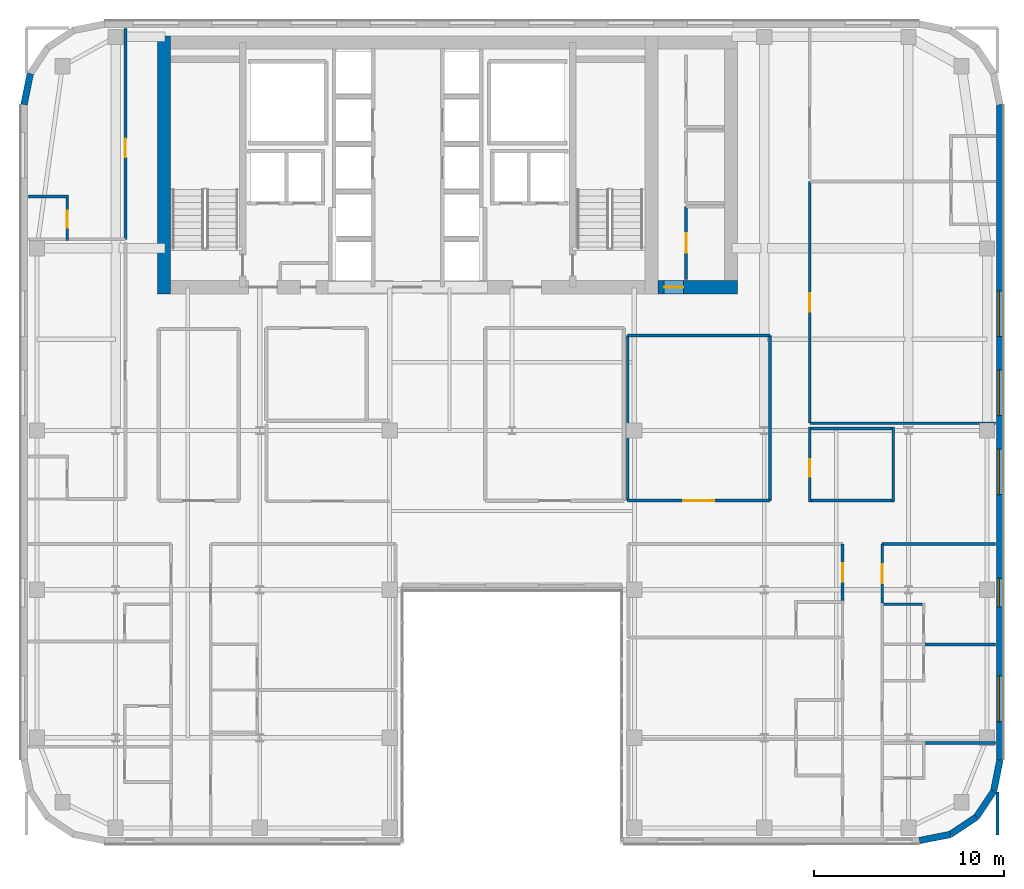
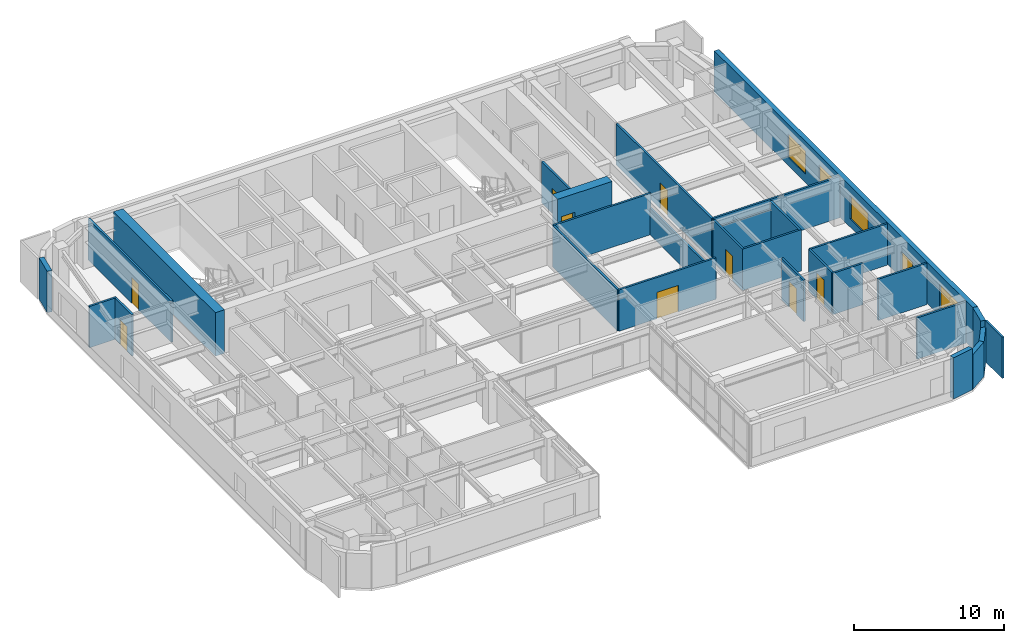
# One storey, part 12 of 20: 29 walls, 9 doors, 5 windows, 14 openings.
"""IFC4 building model written with IfcOpenShell, lengths in metres."""

from ifc_helpers import new_model, si_unit, direction, frame, frame_2d, origin, place, context, subcontext, project, spatial, rectangle, extrude, source, transform, mapped, material, layer, layer_set, type_object, type_shapes, element, fill, save


model = new_model("IFC4")

# Units and contexts
model_context = context("Model", 3, precision=1e-05, world=origin(), true_north=direction((0.0, 1.0)))
body_context = subcontext(model_context, "Body", "Model", "MODEL_VIEW")
ifc_project = project(units=[si_unit("LENGTHUNIT", "METRE"), si_unit("AREAUNIT", "SQUARE_METRE"), si_unit("VOLUMEUNIT", "CUBIC_METRE"), si_unit("PLANEANGLEUNIT", "RADIAN"), si_unit("MASSUNIT", "GRAM", prefix="KILO")], contexts=[model_context])

# Site, building, storey
site_placement = place(None, origin())
site = spatial("IfcSite", under=ifc_project, at=site_placement, CompositionType="ELEMENT")
building_placement = place(site_placement, origin())
building = spatial("IfcBuilding", under=site, at=building_placement, Name="Tolvann Quenvar Hotel", CompositionType="ELEMENT")
storey_placement = place(building_placement, frame((0.0, 0.0, 175.449951171875)))
storey = spatial("IfcBuildingStorey", under=building, at=storey_placement, Name="L46", CompositionType="ELEMENT", Elevation=175.449951171875)

# Wall
ifc_material_1 = material(Name="Concrete S65 (65 MPa)", Category="concrete")
ifc_layer_1 = layer(ifc_material_1, 0.699951171875)
ifc_layer_set_1 = layer_set([ifc_layer_1], Name="Concrete S65 (65 MPa)")
wall_type_1 = type_object("IfcWallType", Name="WALL_CORE_700", PredefinedType="SHEAR", material=ifc_layer_set_1)
wall_1_placement = place(storey_placement, frame((10.14990234375, 31.60009765625, 0.0), z_axis=(0.0, 0.0, 1.0), x_axis=(0.0, 1.0, 0.0)))
element("IfcWall", 1, at=wall_1_placement, inside=storey, type_object=wall_type_1, Name="Rear Core W Shear Wall (L46)", PredefinedType="SHEAR", context=body_context, shape_type="SweptSolid", body=[
    extrude(rectangle(XDim=13.599853515625, YDim=0.699951171875, at=frame_2d((6.7998046875, 0.0))), origin(), (0.0, 0.0, 1.0), 3.550048828125),
])

# Wall, opening, door
wall_2_placement = place(storey_placement, frame((36.199951171875, 31.949951171875, 0.0), z_axis=(0.0, 0.0, 1.0), x_axis=(1.0, 0.0, 0.0)))
wall_2 = element("IfcWall", 2, at=wall_2_placement, inside=storey, type_object=wall_type_1, Name="Core East Annex Shear Wall ANN-S (L46)", PredefinedType="SHEAR", context=body_context, shape_type="SweptSolid", body=[
    extrude(rectangle(XDim=4.199951171875, YDim=0.699951171875, at=frame_2d((2.10009765625, 0.0))), origin(), (0.0, 0.0, 1.0), 3.550048828125),
])
opening_1_placement = place(wall_2_placement, frame((1.340087890625, 0.0, 0.0), z_axis=(0.0, 0.0, 1.0), x_axis=(-1.0, 0.0, 0.0)))
opening_1 = element("IfcOpeningElement", 3, at=opening_1_placement, cuts=wall_2, Name="Opening HD-01", PredefinedType="OPENING", context=body_context, shape_type="SweptSolid", body=[
    extrude(rectangle(XDim=1.02001953125, YDim=2.030029296875, at=frame_2d((0.510009765625, 1.01513671875))), frame((0.0, 0.35986328125, 0.0), z_axis=(0.0, -1.0, 0.0), x_axis=(1.0, 0.0, 0.0)), (0.0, 0.0, 1.0), 0.719970703125),
])
ifc_material_2 = material(Name="Pressed galvanised steel fire-rated door set", Category="steel")
door_type_1 = type_object("IfcDoorType", Name="DOOR_BOH_1020", OperationType="NOTDEFINED", PredefinedType="DOOR", material=ifc_material_2)
shared_shape_1 = source(origin(), body_context, "Body", "SweptSolid", [
    extrude(rectangle(XDim=1.02001953125, YDim=2.030029296875, at=frame_2d((0.510009765625, 1.01513671875))), frame((0.0, 0.02490234375, 0.0), z_axis=(0.0, -1.0, 0.0), x_axis=(1.0, 0.0, 0.0)), (0.0, 0.0, 1.0), 0.050048828125),
])
type_shapes(door_type_1, [shared_shape_1])
door_1_placement = place(opening_1_placement, origin())
door_1 = element("IfcDoor", 4, at=door_1_placement, inside=storey, type_object=door_type_1, Name="Housekeeping Annex Fire Door (L46)", OperationType="SINGLE_SWING_RIGHT", OverallHeight=2.030029296875, OverallWidth=1.02001953125, PredefinedType="DOOR", context=body_context, shape_type="MappedRepresentation", body=[
    mapped(shared_shape_1, transform((0.0, 0.0, 0.0), x_axis=(1.0, 0.0, 0.0), y_axis=(0.0, 1.0, 0.0), z_axis=(0.0, 0.0, 1.0), scale=1.0)),
])
fill(opening_1, door_1)

# Walls
ifc_material_3 = material(Name="Kiln-fired red and buff architectural clay brickwork and terracotta masonry", Category="masonry")
ifc_layer_2 = layer(ifc_material_3, 0.35009765625)
ifc_layer_set_2 = layer_set([ifc_layer_2], Name="Kiln-fired red and buff architectural clay brickwork and terracotta masonry")
wall_type_2 = type_object("IfcWallType", Name="WALL_EXT_BRICK_350", PredefinedType="SOLIDWALL", material=ifc_layer_set_2)
wall_3_placement = place(storey_placement, frame((49.98291015625, 2.77490234375, 0.0), z_axis=(0.0, 0.0, 1.0), x_axis=(0.980788844421, 0.195072403631, 0.0)))
element("IfcWall", 5, at=wall_3_placement, inside=storey, type_object=wall_type_2, Name="Exterior Chicago Brick Wall L46-E09", PredefinedType="SOLIDWALL", context=body_context, shape_type="SweptSolid", body=[
    extrude(rectangle(XDim=1.66455078125, YDim=0.35009765625, at=frame_2d((0.832275390625, 0.0))), origin(), (0.0, 0.0, 1.0), 3.3701171875),
])
for number, where, z_axis, x_axis, name in (
    (6, (51.615478515625, 3.099609375, 0.0), (0.0, 0.0, 1.0), (0.831434158098, 0.555623290322, 0.0), "Exterior Chicago Brick Wall L46-E10"),
    (7, (52.985107421875, 4.014892578125, 0.0), (0.0, 0.0, 1.0), (0.555623290322, 0.831434158098, 0.0), "Exterior Chicago Brick Wall L46-E11"),
):
    element("IfcWall", number, at=place(storey_placement, frame(where, z_axis=z_axis, x_axis=x_axis)), inside=storey, type_object=wall_type_2, Name=name, PredefinedType="SOLIDWALL", context=body_context, shape_type="SweptSolid", body=[
        extrude(rectangle(XDim=1.647216796875, YDim=0.35009765625, at=frame_2d((0.82373046875, 0.0))), origin(), (0.0, 0.0, 1.0), 2.83203125),
    ])
wall_4_placement = place(storey_placement, frame((53.900390625, 5.384521484375, 0.0), z_axis=(0.0, 0.0, 1.0), x_axis=(0.195072403631, 0.980788844421, 0.0)))
element("IfcWall", 8, at=wall_4_placement, inside=storey, type_object=wall_type_2, Name="Exterior Chicago Brick Wall L46-E12", PredefinedType="SOLIDWALL", context=body_context, shape_type="SweptSolid", body=[
    extrude(rectangle(XDim=1.66455078125, YDim=0.35009765625, at=frame_2d((0.832275390625, 0.0))), origin(), (0.0, 0.0, 1.0), 3.3701171875),
])

# Wall, openings, windows
wall_5_placement = place(storey_placement, frame((54.22509765625, 7.01708984375, 0.0), z_axis=(0.0, 0.0, 1.0), x_axis=(0.0, 1.0, 0.0)))
wall_5 = element("IfcWall", 9, at=wall_5_placement, inside=storey, type_object=wall_type_2, Name="Exterior Chicago Brick Wall L46-E13", PredefinedType="SOLIDWALL", context=body_context, shape_type="SweptSolid", body=[
    extrude(rectangle(XDim=34.565673828125, YDim=0.35009765625, at=frame_2d((17.28271484375, 0.0))), origin(), (0.0, 0.0, 1.0), 3.3701171875),
])
opening_2_placement = place(wall_5_placement, frame((2.034912109375, 0.0, 0.679931640625)))
opening_2 = element("IfcOpeningElement", 10, at=opening_2_placement, cuts=wall_5, Name="Opening W-01", PredefinedType="OPENING", context=body_context, shape_type="SweptSolid", body=[
    extrude(rectangle(XDim=2.39990234375, YDim=1.89990234375, at=frame_2d((1.199951171875, 0.949951171875))), frame((0.0, 0.18505859375, 0.0), z_axis=(0.0, -1.0, 0.0), x_axis=(1.0, 0.0, 0.0)), (0.0, 0.0, 1.0), 0.3701171875),
])
opening_3_placement = place(wall_5_placement, frame((13.9970703125, 0.0, 0.679931640625)))
opening_3 = element("IfcOpeningElement", 11, at=opening_3_placement, cuts=wall_5, Name="Opening W-01", PredefinedType="OPENING", context=body_context, shape_type="SweptSolid", body=[
    extrude(rectangle(XDim=2.39990234375, YDim=1.89990234375, at=frame_2d((1.199951171875, 0.949951171875))), frame((0.0, 0.18505859375, 0.0), z_axis=(0.0, -1.0, 0.0), x_axis=(1.0, 0.0, 0.0)), (0.0, 0.0, 1.0), 0.3701171875),
])
opening_4_placement = place(wall_5_placement, frame((18.16796875, 0.0, 0.679931640625)))
opening_4 = element("IfcOpeningElement", 12, at=opening_4_placement, cuts=wall_5, Name="Opening W-01", PredefinedType="OPENING", context=body_context, shape_type="SweptSolid", body=[
    extrude(rectangle(XDim=2.39990234375, YDim=1.89990234375, at=frame_2d((1.199951171875, 0.949951171875))), frame((0.0, 0.18505859375, 0.0), z_axis=(0.0, -1.0, 0.0), x_axis=(1.0, 0.0, 0.0)), (0.0, 0.0, 1.0), 0.3701171875),
])
opening_5_placement = place(wall_5_placement, frame((22.339111328125, 0.0, 0.679931640625)))
opening_5 = element("IfcOpeningElement", 13, at=opening_5_placement, cuts=wall_5, Name="Opening W-01", PredefinedType="OPENING", context=body_context, shape_type="SweptSolid", body=[
    extrude(rectangle(XDim=2.39990234375, YDim=1.89990234375, at=frame_2d((1.199951171875, 0.949951171875))), frame((0.0, 0.18505859375, 0.0), z_axis=(0.0, -1.0, 0.0), x_axis=(1.0, 0.0, 0.0)), (0.0, 0.0, 1.0), 0.3701171875),
])
opening_6_placement = place(wall_5_placement, frame((8.0830078125, 0.0, 0.6201171875)))
opening_6 = element("IfcOpeningElement", 14, at=opening_6_placement, cuts=wall_5, Name="Opening W-08", PredefinedType="OPENING", context=body_context, shape_type="SweptSolid", body=[
    extrude(rectangle(XDim=1.5, YDim=1.550048828125, at=frame_2d((0.75, 0.77490234375))), frame((0.0, 0.18505859375, 0.0), z_axis=(0.0, -1.0, 0.0), x_axis=(1.0, 0.0, 0.0)), (0.0, 0.0, 1.0), 0.3701171875),
])
ifc_material_4 = material(Name="Thermally broken bronze-anodised aluminium frame with double low-E glazing", Category="aluminium")
window_type_1 = type_object("IfcWindowType", Name="WIN_COR_1500x2050", PartitioningType="SINGLE_PANEL", PredefinedType="WINDOW", material=ifc_material_4)
shared_shape_2 = source(origin(), body_context, "Body", "SweptSolid", [
    extrude(rectangle(XDim=1.5, YDim=1.550048828125, at=frame_2d((0.75, 0.77490234375))), frame((0.0, 0.090087890625, 0.0), z_axis=(0.0, -1.0, 0.0), x_axis=(1.0, 0.0, 0.0)), (0.0, 0.0, 1.0), 0.06005859375),
])
type_shapes(window_type_1, [shared_shape_2])
window_1_placement = place(opening_6_placement, origin())
window_1 = element("IfcWindow", 15, at=window_1_placement, inside=storey, type_object=window_type_1, Name="Chicago Window W-08 (EW-L46-E13-WD05)", OverallHeight=1.550048828125, OverallWidth=1.5, PartitioningType="SINGLE_PANEL", PredefinedType="WINDOW", context=body_context, shape_type="MappedRepresentation", body=[
    mapped(shared_shape_2, transform((0.0, 0.0, 0.0), x_axis=(1.0, 0.0, 0.0), y_axis=(0.0, 1.0, 0.0), z_axis=(0.0, 0.0, 1.0), scale=1.0)),
])
fill(opening_6, window_1)
window_type_2 = type_object("IfcWindowType", Name="WIN_CHI_2400x2050", PartitioningType="TRIPLE_PANEL_HORIZONTAL", PredefinedType="WINDOW", material=ifc_material_4)
shared_shape_3 = source(origin(), body_context, "Body", "SweptSolid", [
    extrude(rectangle(XDim=2.39990234375, YDim=1.89990234375, at=frame_2d((1.199951171875, 0.949951171875))), frame((0.0, 0.090087890625, 0.0), z_axis=(0.0, -1.0, 0.0), x_axis=(1.0, 0.0, 0.0)), (0.0, 0.0, 1.0), 0.06005859375),
])
type_shapes(window_type_2, [shared_shape_3])
window_2_placement = place(opening_2_placement, origin())
window_2 = element("IfcWindow", 16, at=window_2_placement, inside=storey, type_object=window_type_2, Name="Chicago Window W-01 (EW-L46-E13-W01)", OverallHeight=1.89990234375, OverallWidth=2.39990234375, PartitioningType="TRIPLE_PANEL_HORIZONTAL", PredefinedType="WINDOW", context=body_context, shape_type="MappedRepresentation", body=[
    mapped(shared_shape_3, transform((0.0, 0.0, 0.0), x_axis=(1.0, 0.0, 0.0), y_axis=(0.0, 1.0, 0.0), z_axis=(0.0, 0.0, 1.0), scale=1.0)),
])
fill(opening_2, window_2)
window_3_placement = place(opening_3_placement, origin())
window_3 = element("IfcWindow", 17, at=window_3_placement, inside=storey, type_object=window_type_2, Name="Chicago Window W-01 (EW-L46-E13-W02)", OverallHeight=1.89990234375, OverallWidth=2.39990234375, PartitioningType="TRIPLE_PANEL_HORIZONTAL", PredefinedType="WINDOW", context=body_context, shape_type="MappedRepresentation", body=[
    mapped(shared_shape_3, transform((0.0, 0.0, 0.0), x_axis=(1.0, 0.0, 0.0), y_axis=(0.0, 1.0, 0.0), z_axis=(0.0, 0.0, 1.0), scale=1.0)),
])
fill(opening_3, window_3)
window_4_placement = place(opening_4_placement, origin())
window_4 = element("IfcWindow", 18, at=window_4_placement, inside=storey, type_object=window_type_2, Name="Chicago Window W-01 (EW-L46-E13-W03)", OverallHeight=1.89990234375, OverallWidth=2.39990234375, PartitioningType="TRIPLE_PANEL_HORIZONTAL", PredefinedType="WINDOW", context=body_context, shape_type="MappedRepresentation", body=[
    mapped(shared_shape_3, transform((0.0, 0.0, 0.0), x_axis=(1.0, 0.0, 0.0), y_axis=(0.0, 1.0, 0.0), z_axis=(0.0, 0.0, 1.0), scale=1.0)),
])
fill(opening_4, window_4)
window_5_placement = place(opening_5_placement, origin())
window_5 = element("IfcWindow", 19, at=window_5_placement, inside=storey, type_object=window_type_2, Name="Chicago Window W-01 (EW-L46-E13-W04)", OverallHeight=1.89990234375, OverallWidth=2.39990234375, PartitioningType="TRIPLE_PANEL_HORIZONTAL", PredefinedType="WINDOW", context=body_context, shape_type="MappedRepresentation", body=[
    mapped(shared_shape_3, transform((0.0, 0.0, 0.0), x_axis=(1.0, 0.0, 0.0), y_axis=(0.0, 1.0, 0.0), z_axis=(0.0, 0.0, 1.0), scale=1.0)),
])
fill(opening_5, window_5)

# Walls
wall_6_placement = place(storey_placement, frame((3.099609375, 43.215576171875, 0.0), z_axis=(0.0, 0.0, 1.0), x_axis=(-0.195044345786, -0.980794424524, 0.0)))
element("IfcWall", 20, at=wall_6_placement, inside=storey, type_object=wall_type_2, Name="Exterior Chicago Brick Wall L46-E22", PredefinedType="SOLIDWALL", context=body_context, shape_type="SweptSolid", body=[
    extrude(rectangle(XDim=1.664794921875, YDim=0.35009765625, at=frame_2d((0.83251953125, 0.0))), origin(), (0.0, 0.0, 1.0), 3.3701171875),
])
ifc_material_5 = material(Name="Acoustic twin-stud fire-rated gypsum plasterboard partition")
ifc_layer_3 = layer(ifc_material_5, 0.14990234375)
ifc_layer_set_3 = layer_set([ifc_layer_3], Name="Acoustic twin-stud fire-rated gypsum plasterboard partition")
wall_type_3 = type_object("IfcWallType", Name="WALL_PART_SUITE_150", PredefinedType="PARTITIONING", material=ifc_layer_set_3)
wall_7_placement = place(storey_placement, frame((47.949951171875, 15.23291015625, 0.0), z_axis=(0.0, 0.0, 1.0), x_axis=(1.0, 0.0, 0.0)))
element("IfcWall", 21, at=wall_7_placement, inside=storey, type_object=wall_type_3, Name="Interior Partition PT-SPC-L46-ENS-EO03-N", PredefinedType="PARTITIONING", context=body_context, shape_type="SweptSolid", body=[
    extrude(rectangle(XDim=2.3291015625, YDim=0.14990234375, at=frame_2d((1.16455078125, 0.0))), origin(), (0.0, 0.0, 1.0), 3.3701171875),
])

# Wall, opening, door
wall_8_placement = place(storey_placement, frame((5.050048828125, 34.409912109375, 0.0), z_axis=(0.0, 0.0, 1.0), x_axis=(0.0, 1.0, 0.0)))
wall_8 = element("IfcWall", 22, at=wall_8_placement, inside=storey, type_object=wall_type_3, Name="Interior Partition PT-SPC-L46-ENS-NW02-ENT", PredefinedType="PARTITIONING", context=body_context, shape_type="SweptSolid", body=[
    extrude(rectangle(XDim=2.39013671875, YDim=0.14990234375, at=frame_2d((1.195068359375, 0.0))), origin(), (0.0, 0.0, 1.0), 3.3701171875),
])
opening_7_placement = place(wall_8_placement, frame((0.6650390625, 0.0, 0.0)))
opening_7 = element("IfcOpeningElement", 23, at=opening_7_placement, cuts=wall_8, Name="Opening WD-01", PredefinedType="OPENING", context=body_context, shape_type="SweptSolid", body=[
    extrude(rectangle(XDim=0.919921875, YDim=2.010009765625, at=frame_2d((0.4599609375, 1.0048828125))), frame((0.0, 0.0849609375, 0.0), z_axis=(0.0, -1.0, 0.0), x_axis=(1.0, 0.0, 0.0)), (0.0, 0.0, 1.0), 0.169921875),
])
ifc_material_6 = material(Name="Solid-core American oak acoustic fire door leaf in steel frame", Category="steel")
door_type_2 = type_object("IfcDoorType", Name="DOOR_WC_920", OperationType="NOTDEFINED", PredefinedType="DOOR", material=ifc_material_6)
shared_shape_4 = source(origin(), body_context, "Body", "SweptSolid", [
    extrude(rectangle(XDim=0.919921875, YDim=2.010009765625, at=frame_2d((0.4599609375, 1.0048828125))), frame((0.0, 0.02490234375, 0.0), z_axis=(0.0, -1.0, 0.0), x_axis=(1.0, 0.0, 0.0)), (0.0, 0.0, 1.0), 0.050048828125),
])
type_shapes(door_type_2, [shared_shape_4])
door_2_placement = place(opening_7_placement, origin())
door_2 = element("IfcDoor", 24, at=door_2_placement, inside=storey, type_object=door_type_2, Name="Interior Door DOOR-SPC-L46-ENS-NW02", OperationType="SINGLE_SWING_LEFT", OverallHeight=2.010009765625, OverallWidth=0.919921875, PredefinedType="DOOR", context=body_context, shape_type="MappedRepresentation", body=[
    mapped(shared_shape_4, transform((0.0, 0.0, 0.0), x_axis=(1.0, 0.0, 0.0), y_axis=(0.0, 1.0, 0.0), z_axis=(0.0, 0.0, 1.0), scale=1.0)),
])
fill(opening_7, door_2)

# Wall
wall_9_placement = place(storey_placement, frame((3.0048828125, 36.72998046875, 0.0), z_axis=(0.0, 0.0, 1.0), x_axis=(1.0, 0.0, 0.0)))
element("IfcWall", 25, at=wall_9_placement, inside=storey, type_object=wall_type_3, Name="Interior Partition PT-SPC-L46-ENS-NW02-N", PredefinedType="PARTITIONING", context=body_context, shape_type="SweptSolid", body=[
    extrude(rectangle(XDim=2.115234375, YDim=0.14990234375, at=frame_2d((1.0576171875, 0.0))), origin(), (0.0, 0.0, 1.0), 3.3701171875),
])

# Wall, opening, door
wall_10_placement = place(storey_placement, frame((37.679931640625, 32.35498046875, 0.0), z_axis=(0.0, 0.0, 1.0), x_axis=(0.0, 1.0, 0.0)))
wall_10 = element("IfcWall", 26, at=wall_10_placement, inside=storey, type_object=wall_type_3, Name="Interior Partition PT-SPC-L46-RECPL-1-W", PredefinedType="PARTITIONING", context=body_context, shape_type="SweptSolid", body=[
    extrude(rectangle(XDim=3.844970703125, YDim=0.14990234375, at=frame_2d((1.92236328125, 0.0))), origin(), (0.0, 0.0, 1.0), 3.3701171875),
])
opening_8_placement = place(wall_10_placement, frame((1.41259765625, 0.0, 0.0)))
opening_8 = element("IfcOpeningElement", 27, at=opening_8_placement, cuts=wall_10, Name="Opening HD-01", PredefinedType="OPENING", context=body_context, shape_type="SweptSolid", body=[
    extrude(rectangle(XDim=1.02001953125, YDim=2.030029296875, at=frame_2d((0.510009765625, 1.01513671875))), frame((0.0, 0.0849609375, 0.0), z_axis=(0.0, -1.0, 0.0), x_axis=(1.0, 0.0, 0.0)), (0.0, 0.0, 1.0), 0.169921875),
])
door_3_placement = place(opening_8_placement, origin())
door_3 = element("IfcDoor", 28, at=door_3_placement, inside=storey, type_object=door_type_1, Name="Interior Door DOOR-SPC-L46-RECPL-1", OperationType="SINGLE_SWING_RIGHT", OverallHeight=2.030029296875, OverallWidth=1.02001953125, PredefinedType="DOOR", context=body_context, shape_type="MappedRepresentation", body=[
    mapped(shared_shape_1, transform((0.0, 0.0, 0.0), x_axis=(1.0, 0.0, 0.0), y_axis=(0.0, 1.0, 0.0), z_axis=(0.0, 0.0, 1.0), scale=1.0)),
])
fill(opening_8, door_3)

wall_11_placement = place(storey_placement, frame((45.929931640625, 15.43701171875, 0.0), z_axis=(0.0, 0.0, 1.0), x_axis=(0.0, 1.0, 0.0)))
wall_11 = element("IfcWall", 29, at=wall_11_placement, inside=storey, type_object=wall_type_3, Name="Interior Partition PT-SPC-L46-RM-EI03-ENT", PredefinedType="PARTITIONING", context=body_context, shape_type="SweptSolid", body=[
    extrude(rectangle(XDim=2.98291015625, YDim=0.14990234375, at=frame_2d((1.491455078125, 0.0))), origin(), (0.0, 0.0, 1.0), 3.3701171875),
])
opening_9_placement = place(wall_11_placement, frame((0.9814453125, 0.0, 0.0)))
opening_9 = element("IfcOpeningElement", 30, at=opening_9_placement, cuts=wall_11, Name="Opening SD-01", PredefinedType="OPENING", context=body_context, shape_type="SweptSolid", body=[
    extrude(rectangle(XDim=0.97998046875, YDim=2.1201171875, at=frame_2d((0.489990234375, 1.06005859375))), frame((0.0, 0.0849609375, 0.0), z_axis=(0.0, -1.0, 0.0), x_axis=(1.0, 0.0, 0.0)), (0.0, 0.0, 1.0), 0.169921875),
])
door_type_3 = type_object("IfcDoorType", Name="DOOR_SUITE_980", OperationType="NOTDEFINED", PredefinedType="DOOR", material=ifc_material_6)
shared_shape_5 = source(origin(), body_context, "Body", "SweptSolid", [
    extrude(rectangle(XDim=0.97998046875, YDim=2.1201171875, at=frame_2d((0.489990234375, 1.06005859375))), frame((0.0, 0.02490234375, 0.0), z_axis=(0.0, -1.0, 0.0), x_axis=(1.0, 0.0, 0.0)), (0.0, 0.0, 1.0), 0.050048828125),
])
type_shapes(door_type_3, [shared_shape_5])
door_4_placement = place(opening_9_placement, origin())
door_4 = element("IfcDoor", 31, at=door_4_placement, inside=storey, type_object=door_type_3, Name="Interior Door DOOR-SPC-L46-RM-EI03", OperationType="SINGLE_SWING_RIGHT", OverallHeight=2.1201171875, OverallWidth=0.97998046875, PredefinedType="DOOR", context=body_context, shape_type="MappedRepresentation", body=[
    mapped(shared_shape_5, transform((0.0, 0.0, 0.0), x_axis=(1.0, 0.0, 0.0), y_axis=(0.0, 1.0, 0.0), z_axis=(0.0, 0.0, 1.0), scale=1.0)),
])
fill(opening_9, door_4)

# Walls
wall_12_placement = place(storey_placement, frame((54.10009765625, 3.080078125, 0.0), z_axis=(0.0, 0.0, 1.0), x_axis=(0.0, 1.0, 0.0)))
element("IfcWall", 32, at=wall_12_placement, inside=storey, type_object=wall_type_3, Name="Interior Partition PT-SPC-L46-RM-EO01-E2", PredefinedType="PARTITIONING", context=body_context, shape_type="SweptSolid", body=[
    extrude(rectangle(XDim=2.264892578125, YDim=0.14990234375, at=frame_2d((1.13232421875, 0.0))), origin(), (0.0, 0.0, 1.0), 3.3701171875),
])
for number, where, z_axis, x_axis, name in (
    (33, (50.22900390625, 7.919921875, 0.0), (0.0, 0.0, 1.0), (1.0, 0.0, 0.0), "Interior Partition PT-SPC-L46-RM-EO01-E3"),
    (34, (50.22900390625, 13.1201171875, 0.0), (0.0, 0.0, 1.0), (1.0, 0.0, 0.0), "Interior Partition PT-SPC-L46-RM-EO02-E3"),
):
    element("IfcWall", number, at=place(storey_placement, frame(where, z_axis=z_axis, x_axis=x_axis)), inside=storey, type_object=wall_type_3, Name=name, PredefinedType="PARTITIONING", context=body_context, shape_type="SweptSolid", body=[
        extrude(rectangle(XDim=3.76611328125, YDim=0.14990234375, at=frame_2d((1.883056640625, 0.0))), origin(), (0.0, 0.0, 1.0), 3.3701171875),
    ])

# Wall, opening, door
wall_13_placement = place(storey_placement, frame((48.02001953125, 15.31298828125, 0.0), z_axis=(0.0, 0.0, 1.0), x_axis=(0.0, 1.0, 0.0)))
wall_13 = element("IfcWall", 35, at=wall_13_placement, inside=storey, type_object=wall_type_3, Name="Interior Partition PT-SPC-L46-RM-EO03-ENT", PredefinedType="PARTITIONING", context=body_context, shape_type="SweptSolid", body=[
    extrude(rectangle(XDim=3.10693359375, YDim=0.14990234375, at=frame_2d((1.553466796875, 0.0))), origin(), (0.0, 0.0, 1.0), 3.3701171875),
])
opening_10_placement = place(wall_13_placement, frame((1.04345703125, 0.0, 0.0)))
opening_10 = element("IfcOpeningElement", 36, at=opening_10_placement, cuts=wall_13, Name="Opening SD-01", PredefinedType="OPENING", context=body_context, shape_type="SweptSolid", body=[
    extrude(rectangle(XDim=0.97998046875, YDim=2.1201171875, at=frame_2d((0.489990234375, 1.06005859375))), frame((0.0, 0.0849609375, 0.0), z_axis=(0.0, -1.0, 0.0), x_axis=(1.0, 0.0, 0.0)), (0.0, 0.0, 1.0), 0.169921875),
])
door_5_placement = place(opening_10_placement, origin())
door_5 = element("IfcDoor", 37, at=door_5_placement, inside=storey, type_object=door_type_3, Name="Interior Door DOOR-SPC-L46-RM-EO03", OperationType="SINGLE_SWING_LEFT", OverallHeight=2.1201171875, OverallWidth=0.97998046875, PredefinedType="DOOR", context=body_context, shape_type="MappedRepresentation", body=[
    mapped(shared_shape_5, transform((0.0, 0.0, 0.0), x_axis=(1.0, 0.0, 0.0), y_axis=(0.0, 1.0, 0.0), z_axis=(0.0, 0.0, 1.0), scale=1.0)),
])
fill(opening_10, door_5)

# Wall
wall_14_placement = place(storey_placement, frame((48.02001953125, 18.419921875, 0.0), z_axis=(0.0, 0.0, 1.0), x_axis=(1.0, 0.0, 0.0)))
element("IfcWall", 38, at=wall_14_placement, inside=storey, type_object=wall_type_3, Name="Interior Partition PT-SPC-L46-RM-EO03-E5", PredefinedType="PARTITIONING", context=body_context, shape_type="SweptSolid", body=[
    extrude(rectangle(XDim=5.97509765625, YDim=0.14990234375, at=frame_2d((2.987548828125, 0.0))), origin(), (0.0, 0.0, 1.0), 3.3701171875),
])

# Wall, opening, door
wall_15_placement = place(storey_placement, frame((8.1201171875, 34.47998046875, 0.0), z_axis=(0.0, 0.0, 1.0), x_axis=(0.0, 1.0, 0.0)))
wall_15 = element("IfcWall", 39, at=wall_15_placement, inside=storey, type_object=wall_type_3, Name="Interior Partition PT-SPC-L46-RM-NW02-ENT", PredefinedType="PARTITIONING", context=body_context, shape_type="SweptSolid", body=[
    extrude(rectangle(XDim=11.114990234375, YDim=0.14990234375, at=frame_2d((5.5576171875, 0.0))), origin(), (0.0, 0.0, 1.0), 3.3701171875),
])
opening_11_placement = place(wall_15_placement, frame((4.320068359375, 0.0, 0.0)))
opening_11 = element("IfcOpeningElement", 40, at=opening_11_placement, cuts=wall_15, Name="Opening SD-01", PredefinedType="OPENING", context=body_context, shape_type="SweptSolid", body=[
    extrude(rectangle(XDim=0.97998046875, YDim=2.1201171875, at=frame_2d((0.489990234375, 1.06005859375))), frame((0.0, 0.0849609375, 0.0), z_axis=(0.0, -1.0, 0.0), x_axis=(1.0, 0.0, 0.0)), (0.0, 0.0, 1.0), 0.169921875),
])
door_6_placement = place(opening_11_placement, origin())
door_6 = element("IfcDoor", 41, at=door_6_placement, inside=storey, type_object=door_type_3, Name="Interior Door DOOR-SPC-L46-RM-NW02", OperationType="SINGLE_SWING_LEFT", OverallHeight=2.1201171875, OverallWidth=0.97998046875, PredefinedType="DOOR", context=body_context, shape_type="MappedRepresentation", body=[
    mapped(shared_shape_5, transform((0.0, 0.0, 0.0), x_axis=(1.0, 0.0, 0.0), y_axis=(0.0, 1.0, 0.0), z_axis=(0.0, 0.0, 1.0), scale=1.0)),
])
fill(opening_11, door_6)

wall_16_placement = place(storey_placement, frame((44.199951171875, 20.6298828125, 0.0), z_axis=(0.0, 0.0, 1.0), x_axis=(0.0, 1.0, 0.0)))
wall_16 = element("IfcWall", 42, at=wall_16_placement, inside=storey, type_object=wall_type_3, Name="Interior Partition PT-SPC-L46-WCA-ENT", PredefinedType="PARTITIONING", context=body_context, shape_type="SweptSolid", body=[
    extrude(rectangle(XDim=3.940185546875, YDim=0.14990234375, at=frame_2d((1.97021484375, 0.0))), origin(), (0.0, 0.0, 1.0), 3.3701171875),
])
opening_12_placement = place(wall_16_placement, frame((1.340087890625, 0.0, 0.0)))
opening_12 = element("IfcOpeningElement", 43, at=opening_12_placement, cuts=wall_16, Name="Opening WD-01", PredefinedType="OPENING", context=body_context, shape_type="SweptSolid", body=[
    extrude(rectangle(XDim=0.919921875, YDim=2.010009765625, at=frame_2d((0.4599609375, 1.0048828125))), frame((0.0, 0.0849609375, 0.0), z_axis=(0.0, -1.0, 0.0), x_axis=(1.0, 0.0, 0.0)), (0.0, 0.0, 1.0), 0.169921875),
])
door_7_placement = place(opening_12_placement, origin())
door_7 = element("IfcDoor", 44, at=door_7_placement, inside=storey, type_object=door_type_2, Name="Interior Door DOOR-SPC-L46-WCA", OperationType="SINGLE_SWING_RIGHT", OverallHeight=2.010009765625, OverallWidth=0.919921875, PredefinedType="DOOR", context=body_context, shape_type="MappedRepresentation", body=[
    mapped(shared_shape_4, transform((0.0, 0.0, 0.0), x_axis=(1.0, 0.0, 0.0), y_axis=(0.0, 1.0, 0.0), z_axis=(0.0, 0.0, 1.0), scale=1.0)),
])
fill(opening_12, door_7)

# Walls
wall_17_placement = place(storey_placement, frame((44.1298828125, 20.699951171875, 0.0), z_axis=(0.0, 0.0, 1.0), x_axis=(1.0, 0.0, 0.0)))
element("IfcWall", 45, at=wall_17_placement, inside=storey, type_object=wall_type_3, Name="Interior Partition PT-SPC-L46-WCA-S", PredefinedType="PARTITIONING", context=body_context, shape_type="SweptSolid", body=[
    extrude(rectangle(XDim=4.5400390625, YDim=0.14990234375, at=frame_2d((2.27001953125, 0.0))), origin(), (0.0, 0.0, 1.0), 3.3701171875),
])
wall_18_placement = place(storey_placement, frame((44.1298828125, 24.5, 0.0), z_axis=(0.0, 0.0, 1.0), x_axis=(1.0, 0.0, 0.0)))
element("IfcWall", 46, at=wall_18_placement, inside=storey, type_object=wall_type_3, Name="Interior Partition PT-SPC-L46-WCA-N", PredefinedType="PARTITIONING", context=body_context, shape_type="SweptSolid", body=[
    extrude(rectangle(XDim=4.5400390625, YDim=0.14990234375, at=frame_2d((2.27001953125, 0.0))), origin(), (0.0, 0.0, 1.0), 2.758056640625),
])
wall_19_placement = place(storey_placement, frame((48.60009765625, 20.6298828125, 0.0), z_axis=(0.0, 0.0, 1.0), x_axis=(0.0, 1.0, 0.0)))
element("IfcWall", 47, at=wall_19_placement, inside=storey, type_object=wall_type_3, Name="Interior Partition PT-SPC-L46-WCA-E", PredefinedType="PARTITIONING", context=body_context, shape_type="SweptSolid", body=[
    extrude(rectangle(XDim=3.940185546875, YDim=0.14990234375, at=frame_2d((1.97021484375, 0.0))), origin(), (0.0, 0.0, 1.0), 3.3701171875),
])

# Wall, opening, door
wall_20_placement = place(storey_placement, frame((44.199951171875, 24.780029296875, 0.0), z_axis=(0.0, 0.0, 1.0), x_axis=(0.0, 1.0, 0.0)))
wall_20 = element("IfcWall", 48, at=wall_20_placement, inside=storey, type_object=wall_type_3, Name="Interior Partition PT-SPC-L46-RM-NE01-ENT", PredefinedType="PARTITIONING", context=body_context, shape_type="SweptSolid", body=[
    extrude(rectangle(XDim=12.739990234375, YDim=0.14990234375, at=frame_2d((6.3701171875, 0.0))), origin(), (0.0, 0.0, 1.0), 3.3701171875),
])
opening_13_placement = place(wall_20_placement, frame((5.8798828125, 0.0, 0.0)))
opening_13 = element("IfcOpeningElement", 49, at=opening_13_placement, cuts=wall_20, Name="Opening SD-01", PredefinedType="OPENING", context=body_context, shape_type="SweptSolid", body=[
    extrude(rectangle(XDim=0.97998046875, YDim=2.1201171875, at=frame_2d((0.489990234375, 1.06005859375))), frame((0.0, 0.0849609375, 0.0), z_axis=(0.0, -1.0, 0.0), x_axis=(1.0, 0.0, 0.0)), (0.0, 0.0, 1.0), 0.169921875),
])
door_8_placement = place(opening_13_placement, origin())
door_8 = element("IfcDoor", 50, at=door_8_placement, inside=storey, type_object=door_type_3, Name="Interior Door DOOR-SPC-L46-RM-NE01", OperationType="SINGLE_SWING_LEFT", OverallHeight=2.1201171875, OverallWidth=0.97998046875, PredefinedType="DOOR", context=body_context, shape_type="MappedRepresentation", body=[
    mapped(shared_shape_5, transform((0.0, 0.0, 0.0), x_axis=(1.0, 0.0, 0.0), y_axis=(0.0, 1.0, 0.0), z_axis=(0.0, 0.0, 1.0), scale=1.0)),
])
fill(opening_13, door_8)

# Wall
wall_21_placement = place(storey_placement, frame((44.199951171875, 24.780029296875, 0.0), z_axis=(0.0, 0.0, 1.0), x_axis=(1.0, 0.0, 0.0)))
element("IfcWall", 51, at=wall_21_placement, inside=storey, type_object=wall_type_3, Name="Interior Partition PT-SPC-L46-RM-NE01-E1", PredefinedType="PARTITIONING", context=body_context, shape_type="SweptSolid", body=[
    extrude(rectangle(XDim=9.795166015625, YDim=0.14990234375, at=frame_2d((4.8974609375, 0.0))), origin(), (0.0, 0.0, 1.0), 3.3701171875),
])

# Wall, opening, door
wall_22_placement = place(storey_placement, frame((34.60009765625, 20.699951171875, 0.0), z_axis=(0.0, 0.0, 1.0), x_axis=(1.0, 0.0, 0.0)))
wall_22 = element("IfcWall", 52, at=wall_22_placement, inside=storey, type_object=wall_type_3, Name="Interior Partition PT-SPC-L46-MSP-E-S", PredefinedType="PARTITIONING", context=body_context, shape_type="SweptSolid", body=[
    extrude(rectangle(XDim=7.5, YDim=0.14990234375, at=frame_2d((3.75, 0.0))), origin(), (0.0, 0.0, 1.0), 3.3701171875),
])
opening_14_placement = place(wall_22_placement, frame((2.925048828125, 0.0, 0.0)))
opening_14 = element("IfcOpeningElement", 53, at=opening_14_placement, cuts=wall_22, Name="Opening AD-01", PredefinedType="OPENING", context=body_context, shape_type="SweptSolid", body=[
    extrude(rectangle(XDim=1.64990234375, YDim=2.14990234375, at=frame_2d((0.824951171875, 1.074951171875))), frame((0.0, 0.0849609375, 0.0), z_axis=(0.0, -1.0, 0.0), x_axis=(1.0, 0.0, 0.0)), (0.0, 0.0, 1.0), 0.169921875),
])
door_type_4 = type_object("IfcDoorType", Name="DOOR_SALON_1650", OperationType="NOTDEFINED", PredefinedType="DOOR", material=ifc_material_6)
shared_shape_6 = source(origin(), body_context, "Body", "SweptSolid", [
    extrude(rectangle(XDim=1.64990234375, YDim=2.14990234375, at=frame_2d((0.824951171875, 1.074951171875))), frame((0.0, 0.02490234375, 0.0), z_axis=(0.0, -1.0, 0.0), x_axis=(1.0, 0.0, 0.0)), (0.0, 0.0, 1.0), 0.050048828125),
])
type_shapes(door_type_4, [shared_shape_6])
door_9_placement = place(opening_14_placement, origin())
door_9 = element("IfcDoor", 54, at=door_9_placement, inside=storey, type_object=door_type_4, Name="Interior Door DOOR-SPC-L46-MSP-E", OperationType="DOUBLE_DOOR_SINGLE_SWING", OverallHeight=2.14990234375, OverallWidth=1.64990234375, PredefinedType="DOOR", context=body_context, shape_type="MappedRepresentation", body=[
    mapped(shared_shape_6, transform((0.0, 0.0, 0.0), x_axis=(1.0, 0.0, 0.0), y_axis=(0.0, 1.0, 0.0), z_axis=(0.0, 0.0, 1.0), scale=1.0)),
])
fill(opening_14, door_9)

# Walls
wall_23_placement = place(storey_placement, frame((34.60009765625, 29.39990234375, 0.0), z_axis=(0.0, 0.0, 1.0), x_axis=(1.0, 0.0, 0.0)))
element("IfcWall", 55, at=wall_23_placement, inside=storey, type_object=wall_type_3, Name="Interior Partition PT-SPC-L46-MSP-E-N", PredefinedType="PARTITIONING", context=body_context, shape_type="SweptSolid", body=[
    extrude(rectangle(XDim=7.5, YDim=0.14990234375, at=frame_2d((3.75, 0.0))), origin(), (0.0, 0.0, 1.0), 3.3701171875),
])
wall_24_placement = place(storey_placement, frame((34.60009765625, 20.699951171875, 0.0), z_axis=(0.0, 0.0, 1.0), x_axis=(0.0, 1.0, 0.0)))
element("IfcWall", 56, at=wall_24_placement, inside=storey, type_object=wall_type_3, Name="Interior Partition PT-SPC-L46-MSP-E-W", PredefinedType="PARTITIONING", context=body_context, shape_type="SweptSolid", body=[
    extrude(rectangle(XDim=8.699951171875, YDim=0.14990234375, at=frame_2d((4.35009765625, 0.0))), origin(), (0.0, 0.0, 1.0), 3.3701171875),
])
wall_25_placement = place(storey_placement, frame((42.10009765625, 20.699951171875, 0.0), z_axis=(0.0, 0.0, 1.0), x_axis=(0.0, 1.0, 0.0)))
element("IfcWall", 57, at=wall_25_placement, inside=storey, type_object=wall_type_3, Name="Interior Partition PT-SPC-L46-MSP-E-E", PredefinedType="PARTITIONING", context=body_context, shape_type="SweptSolid", body=[
    extrude(rectangle(XDim=8.699951171875, YDim=0.14990234375, at=frame_2d((4.35009765625, 0.0))), origin(), (0.0, 0.0, 1.0), 2.16015625),
])

save(model, "model.ifc")
